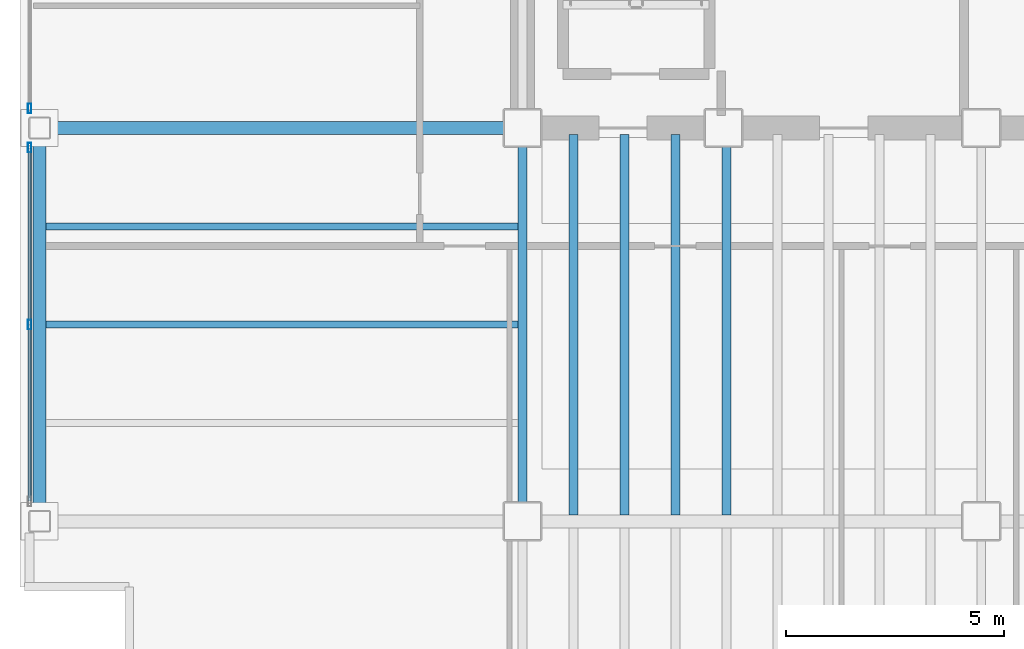
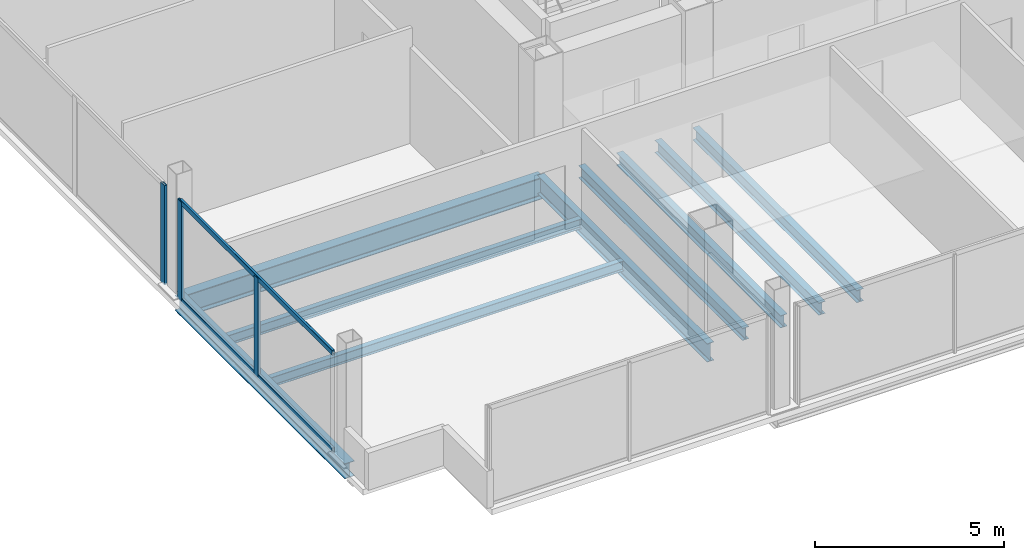
# One storey, part 3 of 19: 9 beams, 5 members, 2 elements without a shape of their own.
"""IFC4 building model written with IfcOpenShell, lengths in metres."""

from ifc_helpers import new_model, si_unit, direction, frame, origin, origin_2d, place, context, subcontext, project, spatial, hollow_rectangle, i_section, extrude, material, material_profile, profile_set, type_object, element, aggregate, save


model = new_model("IFC4")

# Units and contexts
model_context = context("Model", 3, precision=1e-05, world=origin(), true_north=direction((0.0, 1.0)))
body_context = subcontext(model_context, "Body", "Model", "MODEL_VIEW")
ifc_project = project(units=[si_unit("LENGTHUNIT", "METRE"), si_unit("AREAUNIT", "SQUARE_METRE"), si_unit("VOLUMEUNIT", "CUBIC_METRE"), si_unit("PLANEANGLEUNIT", "RADIAN"), si_unit("MASSUNIT", "GRAM", prefix="KILO")], contexts=[model_context])

# Site, building, storey
site_placement = place(None, origin())
site = spatial("IfcSite", under=ifc_project, at=site_placement, CompositionType="ELEMENT")
building_placement = place(site_placement, origin())
building = spatial("IfcBuilding", under=site, at=building_placement, Name="Noeulbin Bourse Tower", CompositionType="ELEMENT")
storey_placement = place(building_placement, frame((0.0, 0.0, 146.10009765625)))
storey = spatial("IfcBuildingStorey", under=building, at=storey_placement, Name="L36", CompositionType="ELEMENT", Elevation=146.10009765625)

# Beams
ifc_material_1 = material(Name="Steel S355", Category="steel")
ifc_material_profile_1 = material_profile(ifc_material_1, i_section(OverallWidth=0.199951171875, OverallDepth=0.60009765625, WebThickness=0.010986328125, FlangeThickness=0.01708984375, FilletRadius=0.02197265625, at=origin_2d()), Name="H-600x200x11x17", Category="LoadBearing")
ifc_profile_set_1 = profile_set([ifc_material_profile_1], Name="Steel S355")
beam_type_1 = type_object("IfcBeamType", Name="BM-GRD-600", PredefinedType="USERDEFINED", material=ifc_profile_set_1)
beam_1_placement = place(storey_placement, frame((13.5, 20.0, -0.47998046875), z_axis=(0.0, 1.0, 0.0), x_axis=(-1.0, 0.0, 0.0)))
element("IfcBeam", 1, at=beam_1_placement, inside=storey, type_object=beam_type_1, Name="Tower Primary Girder NS L36-1.2", ObjectType="GIRDER", PredefinedType="USERDEFINED", context=body_context, shape_type="SweptSolid", body=[
    extrude(i_section(OverallWidth=0.199951171875, OverallDepth=0.60009765625, WebThickness=0.010986328125, FlangeThickness=0.01708984375, FilletRadius=0.02197265625, at=origin_2d()), origin(), (0.0, 0.0, 1.0), 9.0),
])
ifc_material_profile_2 = material_profile(ifc_material_1, i_section(OverallWidth=0.300048828125, OverallDepth=0.699951171875, WebThickness=0.012939453125, FlangeThickness=0.02392578125, FilletRadius=0.02392578125, at=origin_2d()), Name="H-700x300x13x24", Category="LoadBearing")
ifc_profile_set_2 = profile_set([ifc_material_profile_2], Name="Steel S355")
beam_type_2 = type_object("IfcBeamType", Name="BM-GRD-700", PredefinedType="USERDEFINED", material=ifc_profile_set_2)
beam_2_placement = place(storey_placement, frame((2.449951171875, 29.0, -0.530029296875), z_axis=(1.0, 0.0, 0.0), x_axis=(0.0, 1.0, 0.0)))
element("IfcBeam", 2, at=beam_2_placement, inside=storey, type_object=beam_type_2, Name="Tower Primary Girder EW L36-2.1", ObjectType="GIRDER", PredefinedType="USERDEFINED", context=body_context, shape_type="SweptSolid", body=[
    extrude(i_section(OverallWidth=0.300048828125, OverallDepth=0.699951171875, WebThickness=0.012939453125, FlangeThickness=0.02392578125, FilletRadius=0.02392578125, at=origin_2d()), origin(), (0.0, 0.0, 1.0), 11.050048828125),
])
ifc_material_profile_3 = material_profile(ifc_material_1, i_section(OverallWidth=0.159912109375, OverallDepth=0.320068359375, WebThickness=0.006591796875, FlangeThickness=0.010009765625, FilletRadius=0.012939453125, at=origin_2d()), Name="H-320x160x6.5x10", Category="LoadBearing")
ifc_profile_set_3 = profile_set([ifc_material_profile_3], Name="Steel S355")
beam_type_3 = type_object("IfcBeamType", Name="BM-JST-320", PredefinedType="JOIST", material=ifc_profile_set_3)
for number, where, z_axis, x_axis, name in (
    (3, (2.60009765625, 24.5, -0.340087890625), (1.0, 0.0, 0.0), (0.0, 1.0, 0.0), "Wing Composite Joist L36-W71"),
    (4, (2.60009765625, 26.75, -0.340087890625), (1.0, 0.0, 0.0), (0.0, 1.0, 0.0), "Wing Composite Joist L36-W72"),
):
    element("IfcBeam", number, at=place(storey_placement, frame(where, z_axis=z_axis, x_axis=x_axis)), inside=storey, type_object=beam_type_3, Name=name, PredefinedType="JOIST", context=body_context, shape_type="SweptSolid", body=[
        extrude(i_section(OverallWidth=0.159912109375, OverallDepth=0.320068359375, WebThickness=0.006591796875, FlangeThickness=0.010009765625, FilletRadius=0.012939453125, at=origin_2d()), origin(), (0.0, 0.0, 1.0), 10.7998046875),
    ])
ifc_material_profile_4 = material_profile(ifc_material_1, i_section(OverallWidth=0.199951171875, OverallDepth=0.39990234375, WebThickness=0.008056640625, FlangeThickness=0.012939453125, FilletRadius=0.01611328125, at=origin_2d()), Name="H-400x200x8x13", Category="LoadBearing")
ifc_profile_set_4 = profile_set([ifc_material_profile_4], Name="Steel S355")
beam_type_4 = type_object("IfcBeamType", Name="BM-SEC-400", PredefinedType="BEAM", material=ifc_profile_set_4)
for number, where, z_axis, x_axis, name in (
    (5, (14.666748046875, 20.14990234375, -0.380126953125), (0.0, 1.0, 0.0), (-1.0, 0.0, 0.0), "Tower Composite Joist L36-02"),
    (6, (15.833251953125, 20.14990234375, -0.380126953125), (0.0, 1.0, 0.0), (-1.0, 0.0, 0.0), "Tower Composite Joist L36-05"),
    (7, (17.0, 20.14990234375, -0.380126953125), (0.0, 1.0, 0.0), (-1.0, 0.0, 0.0), "Tower Composite Joist L36-08"),
    (8, (18.166748046875, 20.14990234375, -0.380126953125), (0.0, 1.0, 0.0), (-1.0, 0.0, 0.0), "Tower Composite Joist L36-11"),
):
    element("IfcBeam", number, at=place(storey_placement, frame(where, z_axis=z_axis, x_axis=x_axis)), inside=storey, type_object=beam_type_4, Name=name, PredefinedType="BEAM", context=body_context, shape_type="SweptSolid", body=[
        extrude(i_section(OverallWidth=0.199951171875, OverallDepth=0.39990234375, WebThickness=0.008056640625, FlangeThickness=0.012939453125, FilletRadius=0.01611328125, at=origin_2d()), origin(), (0.0, 0.0, 1.0), 8.7001953125),
    ])
ifc_material_profile_5 = material_profile(ifc_material_1, i_section(OverallWidth=0.300048828125, OverallDepth=0.488037109375, WebThickness=0.010986328125, FlangeThickness=0.01806640625, FilletRadius=0.02197265625, at=origin_2d()), Name="H-488x300x11x18", Category="LoadBearing")
ifc_profile_set_5 = profile_set([ifc_material_profile_5], Name="Steel S355")
beam_type_5 = type_object("IfcBeamType", Name="BM-SPN-488", PredefinedType="SPANDREL", material=ifc_profile_set_5)
beam_3_placement = place(storey_placement, frame((2.449951171875, 20.0, -0.424072265625), z_axis=(0.0, 1.0, 0.0), x_axis=(-1.0, 0.0, 0.0)))
element("IfcBeam", 9, at=beam_3_placement, inside=storey, type_object=beam_type_5, Name="West Spandrel L36-1", PredefinedType="SPANDREL", context=body_context, shape_type="SweptSolid", body=[
    extrude(i_section(OverallWidth=0.300048828125, OverallDepth=0.488037109375, WebThickness=0.010986328125, FlangeThickness=0.01806640625, FilletRadius=0.02197265625, at=origin_2d()), origin(), (0.0, 0.0, 1.0), 9.0),
])

# Curtain wall, members
ifc_material_2 = material(Name="Dark Tinted Triple Glazing", Category="glass")
curtain_wall_type = type_object("IfcCurtainWallType", Name="CW-SYS-3", PredefinedType="NOTDEFINED", material=ifc_material_2)
curtain_wall_1_placement = place(storey_placement, origin())
curtain_wall_1 = element("IfcCurtainWall", 10, at=curtain_wall_1_placement, inside=storey, type_object=curtain_wall_type, Name="Unitised Curtain Wall CW-L36-W-S1", PredefinedType="NOTDEFINED")
ifc_material_3 = material(Name="Anodised Aluminium 6063-T6", Category="aluminium")
ifc_material_profile_6 = material_profile(ifc_material_3, hollow_rectangle(XDim=0.074951171875, YDim=0.219970703125, WallThickness=0.0048828125, InnerFilletRadius=0.00244140625, OuterFilletRadius=0.0048828125, at=origin_2d()), Name="ALU-MULL-75x220x5", Category="LoadBearing")
ifc_profile_set_6 = profile_set([ifc_material_profile_6], Name="Anodised Aluminium 6063-T6")
member_type_1 = type_object("IfcMemberType", Name="CW-SYS-3-MUL", PredefinedType="MULLION", material=ifc_profile_set_6)
member_1_placement = place(storey_placement, frame((2.219970703125, 24.5, -0.02001953125), z_axis=(0.0, 0.0, 1.0), x_axis=(1.0, 0.0, 0.0)))
member_1 = element("IfcMember", 11, at=member_1_placement, type_object=member_type_1, Name="Curtain Wall Mullion CW-L36-W-S1-M01", PredefinedType="MULLION", context=body_context, shape_type="SweptSolid", body=[
    extrude(hollow_rectangle(XDim=0.074951171875, YDim=0.219970703125, WallThickness=0.0048828125, InnerFilletRadius=0.00244140625, OuterFilletRadius=0.0048828125, at=origin_2d()), origin(), (0.0, 0.0, 1.0), 3.219970703125),
])
member_2_placement = place(storey_placement, frame((2.219970703125, 28.550048828125, -0.02001953125), z_axis=(0.0, 0.0, 1.0), x_axis=(1.0, 0.0, 0.0)))
member_2 = element("IfcMember", 12, at=member_2_placement, type_object=member_type_1, Name="Curtain Wall Mullion CW-L36-W-S1-M02", PredefinedType="MULLION", context=body_context, shape_type="SweptSolid", body=[
    extrude(hollow_rectangle(XDim=0.074951171875, YDim=0.219970703125, WallThickness=0.0048828125, InnerFilletRadius=0.00244140625, OuterFilletRadius=0.0048828125, at=origin_2d()), origin(), (0.0, 0.0, 1.0), 3.219970703125),
])

# Curtain wall, member
curtain_wall_2_placement = place(storey_placement, origin())
curtain_wall_2 = element("IfcCurtainWall", 13, at=curtain_wall_2_placement, inside=storey, type_object=curtain_wall_type, Name="Unitised Curtain Wall CW-L36-W-S2", PredefinedType="NOTDEFINED")
member_3_placement = place(storey_placement, frame((2.219970703125, 29.449951171875, -0.02001953125), z_axis=(0.0, 0.0, 1.0), x_axis=(1.0, 0.0, 0.0)))
member_3 = element("IfcMember", 14, at=member_3_placement, type_object=member_type_1, Name="Curtain Wall Mullion CW-L36-W-S2-M00", PredefinedType="MULLION", context=body_context, shape_type="SweptSolid", body=[
    extrude(hollow_rectangle(XDim=0.074951171875, YDim=0.219970703125, WallThickness=0.0048828125, InnerFilletRadius=0.00244140625, OuterFilletRadius=0.0048828125, at=origin_2d()), origin(), (0.0, 0.0, 1.0), 3.219970703125),
])
aggregate(curtain_wall_2, [member_3])

# Member
ifc_material_profile_7 = material_profile(ifc_material_3, hollow_rectangle(XDim=0.074951171875, YDim=0.159912109375, WallThickness=0.0048828125, InnerFilletRadius=0.00244140625, OuterFilletRadius=0.0048828125, at=origin_2d()), Name="ALU-TRAN-75x160x5", Category="LoadBearing")
ifc_profile_set_7 = profile_set([ifc_material_profile_7], Name="Anodised Aluminium 6063-T6")
member_type_2 = type_object("IfcMemberType", Name="CW-SYS-3-TRN", PredefinedType="USERDEFINED", material=ifc_profile_set_7)
member_4_placement = place(storey_placement, frame((2.219970703125, 20.4599609375, 0.010009765625), z_axis=(0.0, 1.0, 0.0), x_axis=(-1.0, 0.0, 0.0)))
member_4 = element("IfcMember", 15, at=member_4_placement, type_object=member_type_2, Name="Curtain Wall Transom CW-L36-W-S1-T00", ObjectType="TRANSOM", PredefinedType="USERDEFINED", context=body_context, shape_type="SweptSolid", body=[
    extrude(hollow_rectangle(XDim=0.074951171875, YDim=0.159912109375, WallThickness=0.0048828125, InnerFilletRadius=0.00244140625, OuterFilletRadius=0.0048828125, at=origin_2d()), origin(), (0.0, 0.0, 1.0), 8.080078125),
])

member_5_placement = place(storey_placement, frame((2.219970703125, 20.4599609375, 3.169921875), z_axis=(0.0, 1.0, 0.0), x_axis=(-1.0, 0.0, 0.0)))
member_5 = element("IfcMember", 16, at=member_5_placement, type_object=member_type_2, Name="Curtain Wall Transom CW-L36-W-S1-T01", ObjectType="TRANSOM", PredefinedType="USERDEFINED", context=body_context, shape_type="SweptSolid", body=[
    extrude(hollow_rectangle(XDim=0.074951171875, YDim=0.159912109375, WallThickness=0.0048828125, InnerFilletRadius=0.00244140625, OuterFilletRadius=0.0048828125, at=origin_2d()), origin(), (0.0, 0.0, 1.0), 8.080078125),
])

aggregate(curtain_wall_1, [member_1, member_2, member_4, member_5])

save(model, "model.ifc")
